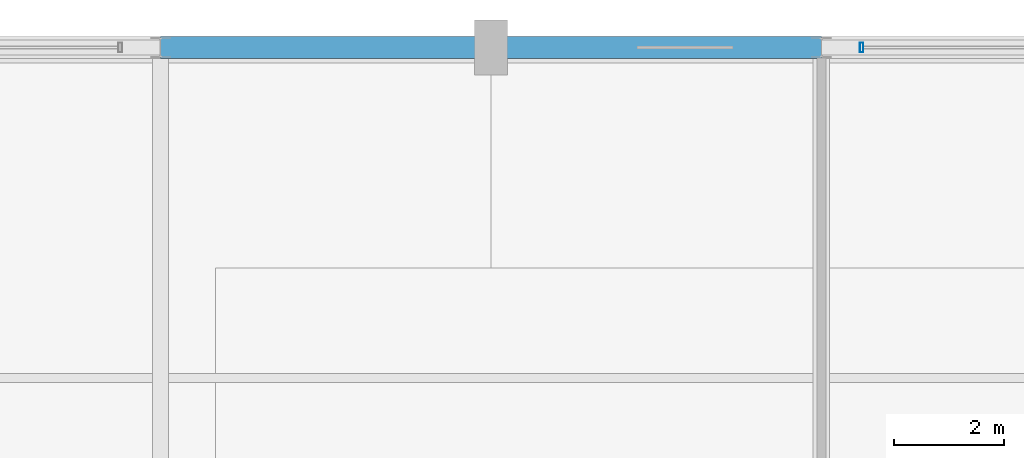
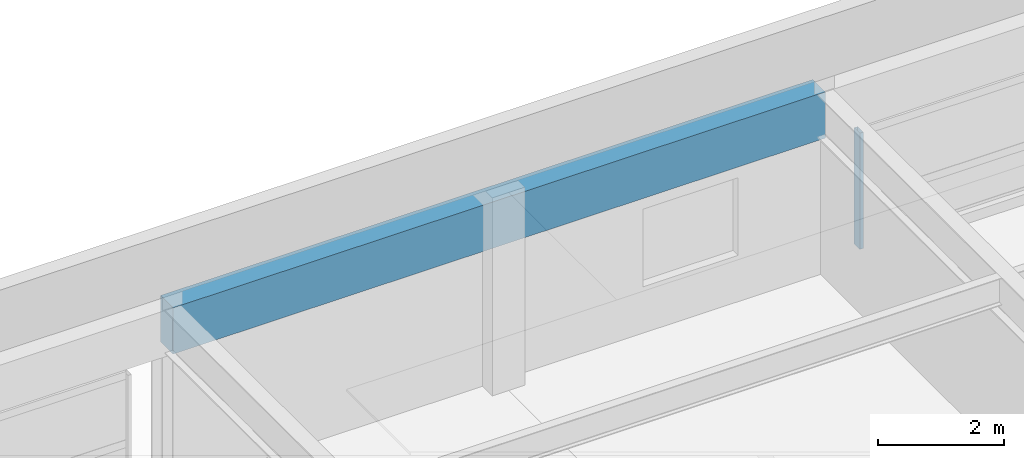
# One storey, part 46 of 108: 1 beam, 1 member, 1 element without a shape of its own.
"""IFC4 building model written with IfcOpenShell, lengths in metres."""

from ifc_helpers import new_model, si_unit, direction, frame, origin, origin_2d, place, context, subcontext, project, spatial, rectangle, hollow_rectangle, extrude, material, material_profile, profile_set, type_object, element, aggregate, save


model = new_model("IFC4")

# Units and contexts
model_context = context("Model", 3, precision=1e-05, world=origin(), true_north=direction((0.0, 1.0)))
body_context = subcontext(model_context, "Body", "Model", "MODEL_VIEW")
ifc_project = project(units=[si_unit("LENGTHUNIT", "METRE"), si_unit("AREAUNIT", "SQUARE_METRE"), si_unit("VOLUMEUNIT", "CUBIC_METRE"), si_unit("PLANEANGLEUNIT", "RADIAN"), si_unit("MASSUNIT", "GRAM", prefix="KILO")], contexts=[model_context])

# Site, building, storey
site_placement = place(None, origin())
site = spatial("IfcSite", under=ifc_project, at=site_placement, CompositionType="ELEMENT")
building_placement = place(site_placement, origin())
building = spatial("IfcBuilding", under=site, at=building_placement, Name="Kaldorvane Square Convention Centre", CompositionType="ELEMENT")
storey_placement = place(building_placement, frame((0.0, 0.0, 23.399993896484375)))
storey = spatial("IfcBuildingStorey", under=building, at=storey_placement, Name="L04", CompositionType="ELEMENT", Elevation=23.399993896484375)

# Beam
ifc_material_1 = material(Name="Concrete f'c = 42 MPa (Normalweight)", Category="concrete")
ifc_material_profile_1 = material_profile(ifc_material_1, rectangle(XDim=0.399993896484375, YDim=0.899993896484375, at=origin_2d()), Name="RCSP900X400")
ifc_profile_set_1 = profile_set([ifc_material_profile_1], Name="Concrete f'c = 42 MPa (Normalweight)")
beam_type = type_object("IfcBeamType", Name="BM-SP-RC900", PredefinedType="SPANDREL", material=ifc_profile_set_1)
beam_placement = place(storey_placement, frame((114.0, 117.0, 3.0760040283203125), z_axis=(1.0, 0.0, 0.0), x_axis=(0.0, 1.0, 0.0)))
element("IfcBeam", 1, at=beam_placement, inside=storey, type_object=beam_type, Name="Perimeter Spandrel (L04)", PredefinedType="SPANDREL", context=body_context, shape_type="SweptSolid", body=[
    extrude(rectangle(XDim=0.399993896484375, YDim=0.899993896484375, at=origin_2d()), origin(), (0.0, 0.0, 1.0), 12.0),
])

# Curtain wall, member
ifc_material_2 = material(Name="Anodized Aluminum and Low-E Insulated Glazing", Category="aluminium")
curtain_wall_type = type_object("IfcCurtainWallType", Name="CW-UNI-P42-09", PredefinedType="USERDEFINED", material=ifc_material_2)
curtain_wall_placement = place(storey_placement, origin())
curtain_wall = element("IfcCurtainWall", 2, at=curtain_wall_placement, inside=storey, type_object=curtain_wall_type, Name="Curtain Wall CW-06 (L04)", ObjectType="UNITISED GLAZING", PredefinedType="USERDEFINED")
ifc_material_profile_2 = material_profile(ifc_material_2, hollow_rectangle(XDim=0.06500244140625, YDim=0.17999267578125, WallThickness=0.0034942626953125, at=origin_2d()), Name="CWM-180X65")
ifc_profile_set_2 = profile_set([ifc_material_profile_2], Name="Anodized Aluminum and Low-E Insulated Glazing")
member_type = type_object("IfcMemberType", Name="CW-MUL-180", PredefinedType="MULLION", material=ifc_profile_set_2)
member_placement = place(storey_placement, frame((126.73249816894531, 117.0, 0.1500091552734375), z_axis=(0.0, 0.0, 1.0), x_axis=(-1.0, 0.0, 0.0)))
member = element("IfcMember", 3, at=member_placement, type_object=member_type, Name="CW-06 mullion 4", PredefinedType="MULLION", context=body_context, shape_type="SweptSolid", body=[
    extrude(hollow_rectangle(XDim=0.06500244140625, YDim=0.17999267578125, WallThickness=0.0034942626953125, at=origin_2d()), origin(), (0.0, 0.0, 1.0), 2.2599945068359375),
])
aggregate(curtain_wall, [member])

save(model, "model.ifc")
